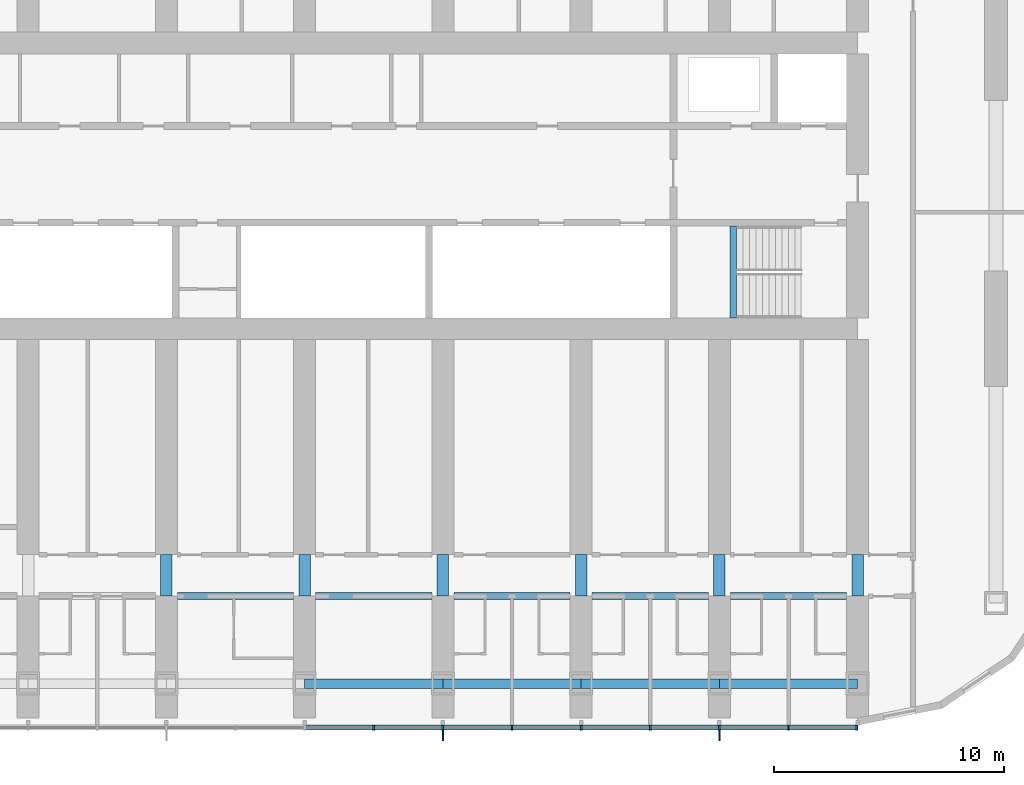
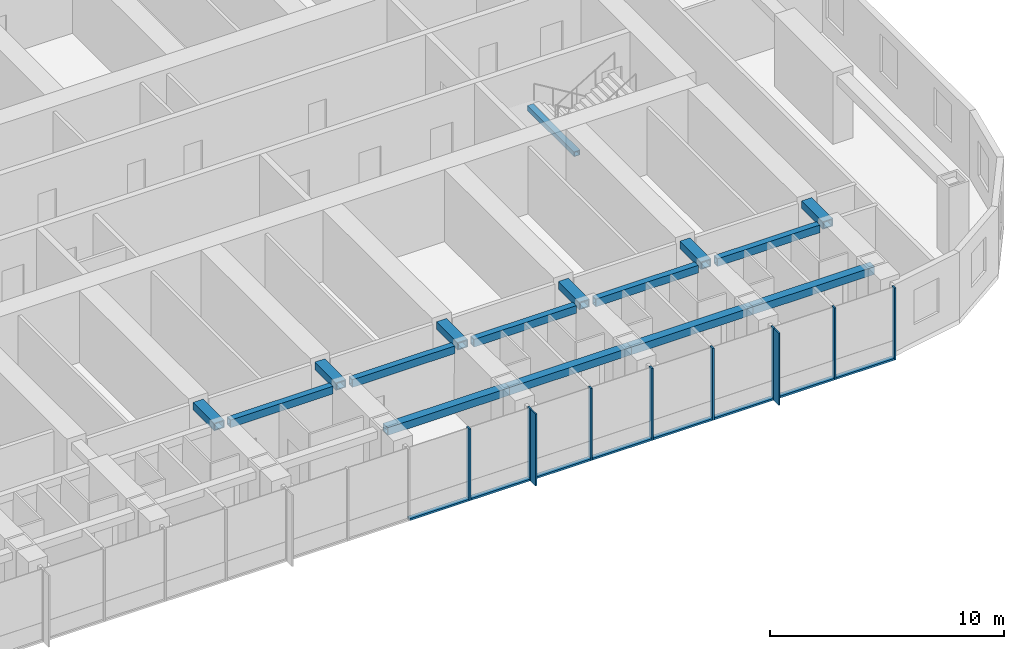
# One storey, part 3 of 21: 18 members, 16 beams, 1 element without a shape of its own.
"""IFC4 building model written with IfcOpenShell, lengths in metres."""

from ifc_helpers import new_model, si_unit, direction, frame, origin, origin_2d, place, context, subcontext, project, spatial, rectangle, hollow_rectangle, extrude, material, material_profile, profile_set, type_object, element, aggregate, save


model = new_model("IFC4")

# Units and contexts
model_context = context("Model", 3, precision=1e-05, world=origin(), true_north=direction((0.0, 1.0)))
body_context = subcontext(model_context, "Body", "Model", "MODEL_VIEW")
ifc_project = project(units=[si_unit("LENGTHUNIT", "METRE"), si_unit("AREAUNIT", "SQUARE_METRE"), si_unit("VOLUMEUNIT", "CUBIC_METRE"), si_unit("PLANEANGLEUNIT", "RADIAN"), si_unit("MASSUNIT", "GRAM", prefix="KILO")], contexts=[model_context])

# Site, building, storey
site_placement = place(None, origin())
site = spatial("IfcSite", under=ifc_project, at=site_placement, CompositionType="ELEMENT")
building_placement = place(site_placement, origin())
building = spatial("IfcBuilding", under=site, at=building_placement, Name="Orbita Commons", CompositionType="ELEMENT")
storey_placement = place(building_placement, frame((0.0, 0.0, 88.14990234375)))
storey = spatial("IfcBuildingStorey", under=building, at=storey_placement, Name="L21", CompositionType="ELEMENT", Elevation=88.14990234375)

# Curtain wall, members
ifc_material_1 = material(Name="Anodised aluminium frame, pale silver", Category="aluminium")
curtain_wall_type = type_object("IfcCurtainWallType", Name="Unitised curtain wall CW-T, vision and spandrel", PredefinedType="NOTDEFINED", material=ifc_material_1)
curtain_wall_placement = place(storey_placement, origin())
curtain_wall = element("IfcCurtainWall", 1, at=curtain_wall_placement, inside=storey, type_object=curtain_wall_type, Name="Curtain wall south L21", PredefinedType="NOTDEFINED")
ifc_material_2 = material(Name="Anodised aluminium, pale silver", Category="aluminium")
ifc_material_profile_1 = material_profile(ifc_material_2, rectangle(XDim=0.080078125, YDim=0.219970703125, at=origin_2d()), Name="AL 80x220")
ifc_profile_set_1 = profile_set([ifc_material_profile_1], Name="Anodised aluminium, pale silver")
member_type_1 = type_object("IfcMemberType", Name="Curtain wall mullion 80x220", PredefinedType="MULLION", material=ifc_profile_set_1)
member_1_placement = place(storey_placement, frame((45.0, 8.489990234375, -0.25), z_axis=(0.0, 0.0, 1.0), x_axis=(1.0, 0.0, 0.0)))
member_1 = element("IfcMember", 2, at=member_1_placement, type_object=member_type_1, Name="Mullion 12 CW-L21-S", PredefinedType="MULLION", context=body_context, shape_type="SweptSolid", body=[
    extrude(rectangle(XDim=0.080078125, YDim=0.219970703125, at=origin_2d()), origin(), (0.0, 0.0, 1.0), 3.75),
])
member_2_placement = place(storey_placement, frame((48.0, 8.489990234375, -0.25), z_axis=(0.0, 0.0, 1.0), x_axis=(1.0, 0.0, 0.0)))
member_2 = element("IfcMember", 3, at=member_2_placement, type_object=member_type_1, Name="Mullion 13 CW-L21-S", PredefinedType="MULLION", context=body_context, shape_type="SweptSolid", body=[
    extrude(rectangle(XDim=0.080078125, YDim=0.219970703125, at=origin_2d()), origin(), (0.0, 0.0, 1.0), 3.75),
])
member_3_placement = place(storey_placement, frame((51.0, 8.489990234375, -0.25), z_axis=(0.0, 0.0, 1.0), x_axis=(1.0, 0.0, 0.0)))
member_3 = element("IfcMember", 4, at=member_3_placement, type_object=member_type_1, Name="Mullion 14 CW-L21-S", PredefinedType="MULLION", context=body_context, shape_type="SweptSolid", body=[
    extrude(rectangle(XDim=0.080078125, YDim=0.219970703125, at=origin_2d()), origin(), (0.0, 0.0, 1.0), 3.75),
])
member_4_placement = place(storey_placement, frame((54.0, 8.489990234375, -0.25), z_axis=(0.0, 0.0, 1.0), x_axis=(1.0, 0.0, 0.0)))
member_4 = element("IfcMember", 5, at=member_4_placement, type_object=member_type_1, Name="Mullion 15 CW-L21-S", PredefinedType="MULLION", context=body_context, shape_type="SweptSolid", body=[
    extrude(rectangle(XDim=0.080078125, YDim=0.219970703125, at=origin_2d()), origin(), (0.0, 0.0, 1.0), 3.75),
])
member_5_placement = place(storey_placement, frame((57.0, 8.489990234375, -0.25), z_axis=(0.0, 0.0, 1.0), x_axis=(1.0, 0.0, 0.0)))
member_5 = element("IfcMember", 6, at=member_5_placement, type_object=member_type_1, Name="Mullion 16 CW-L21-S", PredefinedType="MULLION", context=body_context, shape_type="SweptSolid", body=[
    extrude(rectangle(XDim=0.080078125, YDim=0.219970703125, at=origin_2d()), origin(), (0.0, 0.0, 1.0), 3.75),
])
member_6_placement = place(storey_placement, frame((60.0, 8.489990234375, -0.25), z_axis=(0.0, 0.0, 1.0), x_axis=(1.0, 0.0, 0.0)))
member_6 = element("IfcMember", 7, at=member_6_placement, type_object=member_type_1, Name="Mullion 17 CW-L21-S", PredefinedType="MULLION", context=body_context, shape_type="SweptSolid", body=[
    extrude(rectangle(XDim=0.080078125, YDim=0.219970703125, at=origin_2d()), origin(), (0.0, 0.0, 1.0), 3.75),
])
member_7_placement = place(storey_placement, frame((63.0, 8.489990234375, -0.25), z_axis=(0.0, 0.0, 1.0), x_axis=(1.0, 0.0, 0.0)))
member_7 = element("IfcMember", 8, at=member_7_placement, type_object=member_type_1, Name="Mullion 18 CW-L21-S", PredefinedType="MULLION", context=body_context, shape_type="SweptSolid", body=[
    extrude(rectangle(XDim=0.080078125, YDim=0.219970703125, at=origin_2d()), origin(), (0.0, 0.0, 1.0), 3.75),
])
member_8_placement = place(storey_placement, frame((65.9599609375, 8.489990234375, -0.25), z_axis=(0.0, 0.0, 1.0), x_axis=(1.0, 0.0, 0.0)))
member_8 = element("IfcMember", 9, at=member_8_placement, type_object=member_type_1, Name="Mullion 19 CW-L21-S", PredefinedType="MULLION", context=body_context, shape_type="SweptSolid", body=[
    extrude(rectangle(XDim=0.080078125, YDim=0.219970703125, at=origin_2d()), origin(), (0.0, 0.0, 1.0), 3.75),
])
ifc_material_3 = material(Name="Anodised aluminium, pale silver", Category="aluminium")
ifc_material_profile_2 = material_profile(ifc_material_3, rectangle(XDim=0.219970703125, YDim=0.10009765625, at=origin_2d()), Name="AL 220x100")
ifc_profile_set_2 = profile_set([ifc_material_profile_2], Name="Anodised aluminium, pale silver")
member_type_2 = type_object("IfcMemberType", Name="Curtain wall stack transom 220x100", PredefinedType="USERDEFINED", material=ifc_profile_set_2)
member_9_placement = place(storey_placement, frame((42.0400390625, 8.489990234375, -0.199951171875), z_axis=(1.0, 0.0, 0.0), x_axis=(0.0, 1.0, 0.0)))
member_9 = element("IfcMember", 10, at=member_9_placement, type_object=member_type_2, Name="Transom 11.1 CW-L21-S", ObjectType="TRANSOM", PredefinedType="USERDEFINED", context=body_context, shape_type="SweptSolid", body=[
    extrude(rectangle(XDim=0.219970703125, YDim=0.10009765625, at=origin_2d()), origin(), (0.0, 0.0, 1.0), 2.919921875),
])
member_10_placement = place(storey_placement, frame((45.0400390625, 8.489990234375, -0.199951171875), z_axis=(1.0, 0.0, 0.0), x_axis=(0.0, 1.0, 0.0)))
member_10 = element("IfcMember", 11, at=member_10_placement, type_object=member_type_2, Name="Transom 12.1 CW-L21-S", ObjectType="TRANSOM", PredefinedType="USERDEFINED", context=body_context, shape_type="SweptSolid", body=[
    extrude(rectangle(XDim=0.219970703125, YDim=0.10009765625, at=origin_2d()), origin(), (0.0, 0.0, 1.0), 2.919921875),
])
member_11_placement = place(storey_placement, frame((48.0400390625, 8.489990234375, -0.199951171875), z_axis=(1.0, 0.0, 0.0), x_axis=(0.0, 1.0, 0.0)))
member_11 = element("IfcMember", 12, at=member_11_placement, type_object=member_type_2, Name="Transom 13.1 CW-L21-S", ObjectType="TRANSOM", PredefinedType="USERDEFINED", context=body_context, shape_type="SweptSolid", body=[
    extrude(rectangle(XDim=0.219970703125, YDim=0.10009765625, at=origin_2d()), origin(), (0.0, 0.0, 1.0), 2.919921875),
])
member_12_placement = place(storey_placement, frame((51.0400390625, 8.489990234375, -0.199951171875), z_axis=(1.0, 0.0, 0.0), x_axis=(0.0, 1.0, 0.0)))
member_12 = element("IfcMember", 13, at=member_12_placement, type_object=member_type_2, Name="Transom 14.1 CW-L21-S", ObjectType="TRANSOM", PredefinedType="USERDEFINED", context=body_context, shape_type="SweptSolid", body=[
    extrude(rectangle(XDim=0.219970703125, YDim=0.10009765625, at=origin_2d()), origin(), (0.0, 0.0, 1.0), 2.919921875),
])
member_13_placement = place(storey_placement, frame((54.0400390625, 8.489990234375, -0.199951171875), z_axis=(1.0, 0.0, 0.0), x_axis=(0.0, 1.0, 0.0)))
member_13 = element("IfcMember", 14, at=member_13_placement, type_object=member_type_2, Name="Transom 15.1 CW-L21-S", ObjectType="TRANSOM", PredefinedType="USERDEFINED", context=body_context, shape_type="SweptSolid", body=[
    extrude(rectangle(XDim=0.219970703125, YDim=0.10009765625, at=origin_2d()), origin(), (0.0, 0.0, 1.0), 2.919921875),
])
member_14_placement = place(storey_placement, frame((57.0400390625, 8.489990234375, -0.199951171875), z_axis=(1.0, 0.0, 0.0), x_axis=(0.0, 1.0, 0.0)))
member_14 = element("IfcMember", 15, at=member_14_placement, type_object=member_type_2, Name="Transom 16.1 CW-L21-S", ObjectType="TRANSOM", PredefinedType="USERDEFINED", context=body_context, shape_type="SweptSolid", body=[
    extrude(rectangle(XDim=0.219970703125, YDim=0.10009765625, at=origin_2d()), origin(), (0.0, 0.0, 1.0), 2.919921875),
])
member_15_placement = place(storey_placement, frame((60.0400390625, 8.489990234375, -0.199951171875), z_axis=(1.0, 0.0, 0.0), x_axis=(0.0, 1.0, 0.0)))
member_15 = element("IfcMember", 16, at=member_15_placement, type_object=member_type_2, Name="Transom 17.1 CW-L21-S", ObjectType="TRANSOM", PredefinedType="USERDEFINED", context=body_context, shape_type="SweptSolid", body=[
    extrude(rectangle(XDim=0.219970703125, YDim=0.10009765625, at=origin_2d()), origin(), (0.0, 0.0, 1.0), 2.919921875),
])
member_16_placement = place(storey_placement, frame((63.0400390625, 8.489990234375, -0.199951171875), z_axis=(1.0, 0.0, 0.0), x_axis=(0.0, 1.0, 0.0)))
member_16 = element("IfcMember", 17, at=member_16_placement, type_object=member_type_2, Name="Transom 18.1 CW-L21-S", ObjectType="TRANSOM", PredefinedType="USERDEFINED", context=body_context, shape_type="SweptSolid", body=[
    extrude(rectangle(XDim=0.219970703125, YDim=0.10009765625, at=origin_2d()), origin(), (0.0, 0.0, 1.0), 2.8798828125),
])

# Beams
ifc_material_4 = material(Name="Steel ASTM A572 Gr 50 welded plate", Category="steel")
ifc_material_profile_3 = material_profile(ifc_material_4, hollow_rectangle(XDim=0.300048828125, YDim=0.25, WallThickness=0.02490234375, at=origin_2d()), Name="BOX 250x300x25")
ifc_profile_set_3 = profile_set([ifc_material_profile_3], Name="Steel ASTM A572 Gr 50 welded plate")
beam_type_1 = type_object("IfcBeamType", Name="Stair landing beam steel BOX 250x300x25", PredefinedType="BEAM", material=ifc_profile_set_3)
beam_placement = place(storey_placement, frame((60.60009765625, 26.260009765625, 1.550048828125), z_axis=(0.0, 1.0, 0.0), x_axis=(-1.0, 0.0, 0.0)))
element("IfcBeam", 18, at=beam_placement, inside=storey, type_object=beam_type_1, Name="Stair S2 landing beam L21 1", PredefinedType="BEAM", context=body_context, shape_type="SweptSolid", body=[
    extrude(hollow_rectangle(XDim=0.300048828125, YDim=0.25, WallThickness=0.02490234375, at=origin_2d()), origin(), (0.0, 0.0, 1.0), 4.0048828125),
])
ifc_material_5 = material(Name="Steel ASTM A572 Gr 50 welded plate", Category="steel")
ifc_material_profile_4 = material_profile(ifc_material_5, hollow_rectangle(XDim=0.300048828125, YDim=0.39990234375, WallThickness=0.0400390625, at=origin_2d()), Name="BOX 400x300x40")
ifc_profile_set_4 = profile_set([ifc_material_profile_4], Name="Steel ASTM A572 Gr 50 welded plate")
beam_type_2 = type_object("IfcBeamType", Name="Steel corridor link BOX 400x300x40", PredefinedType="BEAM", material=ifc_profile_set_4)
for number, where, z_axis, x_axis, name in (
    (19, (36.47509765625, 14.199951171875, 3.300048828125), (1.0, 0.0, 0.0), (0.0, 1.0, 0.0), "Corridor beam SA 7-8 L21"),
    (20, (42.47509765625, 14.199951171875, 3.300048828125), (1.0, 0.0, 0.0), (0.0, 1.0, 0.0), "Corridor beam SA 8-9 L21"),
    (21, (48.47509765625, 14.199951171875, 3.300048828125), (1.0, 0.0, 0.0), (0.0, 1.0, 0.0), "Corridor beam SA 9-10 L21"),
    (22, (54.47509765625, 14.199951171875, 3.300048828125), (1.0, 0.0, 0.0), (0.0, 1.0, 0.0), "Corridor beam SA 10-11 L21"),
    (23, (60.47509765625, 14.199951171875, 3.300048828125), (1.0, 0.0, 0.0), (0.0, 1.0, 0.0), "Corridor beam SA 11-12 L21"),
):
    element("IfcBeam", number, at=place(storey_placement, frame(where, z_axis=z_axis, x_axis=x_axis)), inside=storey, type_object=beam_type_2, Name=name, PredefinedType="BEAM", context=body_context, shape_type="SweptSolid", body=[
        extrude(hollow_rectangle(XDim=0.300048828125, YDim=0.39990234375, WallThickness=0.0400390625, at=origin_2d()), origin(), (0.0, 0.0, 1.0), 5.0498046875),
    ])
ifc_material_6 = material(Name="Steel ASTM A572 Gr 50 welded plate", Category="steel")
ifc_material_profile_5 = material_profile(ifc_material_6, hollow_rectangle(XDim=0.5, YDim=0.39990234375, WallThickness=0.050048828125, at=origin_2d()), Name="BOX 400x500x50")
ifc_profile_set_5 = profile_set([ifc_material_profile_5], Name="Steel ASTM A572 Gr 50 welded plate")
beam_type_3 = type_object("IfcBeamType", Name="Steel coupling link BOX 400x500x50", PredefinedType="LINTEL", material=ifc_profile_set_5)
for number, where, z_axis, x_axis, name in (
    (24, (36.0, 14.199951171875, 3.300048828125), (0.0, 1.0, 0.0), (-1.0, 0.0, 0.0), "Coupling beam 7 south L21"),
    (25, (42.0, 14.199951171875, 3.300048828125), (0.0, 1.0, 0.0), (-1.0, 0.0, 0.0), "Coupling beam 8 south L21"),
    (26, (48.0, 14.199951171875, 3.300048828125), (0.0, 1.0, 0.0), (-1.0, 0.0, 0.0), "Coupling beam 9 south L21"),
    (27, (54.0, 14.199951171875, 3.300048828125), (0.0, 1.0, 0.0), (-1.0, 0.0, 0.0), "Coupling beam 10 south L21"),
    (28, (60.0, 14.199951171875, 3.300048828125), (0.0, 1.0, 0.0), (-1.0, 0.0, 0.0), "Coupling beam 11 south L21"),
    (29, (66.0, 14.199951171875, 3.300048828125), (0.0, 1.0, 0.0), (-1.0, 0.0, 0.0), "Coupling beam 12 south L21"),
):
    element("IfcBeam", number, at=place(storey_placement, frame(where, z_axis=z_axis, x_axis=x_axis)), inside=storey, type_object=beam_type_3, Name=name, PredefinedType="LINTEL", context=body_context, shape_type="SweptSolid", body=[
        extrude(hollow_rectangle(XDim=0.5, YDim=0.39990234375, WallThickness=0.050048828125, at=origin_2d()), origin(), (0.0, 0.0, 1.0), 1.800048828125),
    ])
ifc_material_7 = material(Name="Steel ASTM A572 Gr 50 welded plate", Category="steel")
ifc_material_profile_6 = material_profile(ifc_material_7, hollow_rectangle(XDim=0.39990234375, YDim=0.39990234375, WallThickness=0.0400390625, at=origin_2d()), Name="BOX 400x400x40")
ifc_profile_set_6 = profile_set([ifc_material_profile_6], Name="Steel ASTM A572 Gr 50 welded plate")
beam_type_4 = type_object("IfcBeamType", Name="Steel spandrel BOX 400x400x40", PredefinedType="SPANDREL", material=ifc_profile_set_6)
for number, where, z_axis, x_axis, name in (
    (30, (42.0, 10.39990234375, 3.300048828125), (1.0, 0.0, 0.0), (0.0, 1.0, 0.0), "Spandrel beam B 8-9 L21"),
    (31, (48.0, 10.39990234375, 3.300048828125), (1.0, 0.0, 0.0), (0.0, 1.0, 0.0), "Spandrel beam B 9-10 L21"),
    (32, (54.0, 10.39990234375, 3.300048828125), (1.0, 0.0, 0.0), (0.0, 1.0, 0.0), "Spandrel beam B 10-11 L21"),
    (33, (60.0, 10.39990234375, 3.300048828125), (1.0, 0.0, 0.0), (0.0, 1.0, 0.0), "Spandrel beam B 11-12 L21"),
):
    element("IfcBeam", number, at=place(storey_placement, frame(where, z_axis=z_axis, x_axis=x_axis)), inside=storey, type_object=beam_type_4, Name=name, PredefinedType="SPANDREL", context=body_context, shape_type="SweptSolid", body=[
        extrude(hollow_rectangle(XDim=0.39990234375, YDim=0.39990234375, WallThickness=0.0400390625, at=origin_2d()), origin(), (0.0, 0.0, 1.0), 6.0),
    ])

# Member
ifc_material_8 = material(Name="Anodised aluminium, pale silver", Category="aluminium")
ifc_material_profile_7 = material_profile(ifc_material_8, rectangle(XDim=0.06005859375, YDim=0.449951171875, at=origin_2d()), Name="FIN 60x450")
ifc_profile_set_7 = profile_set([ifc_material_profile_7], Name="Anodised aluminium, pale silver")
member_type_3 = type_object("IfcMemberType", Name="Vertical fin 60x450 pale aluminium", PredefinedType="USERDEFINED", material=ifc_profile_set_7)
member_17_placement = place(storey_placement, frame((48.0, 8.155029296875, -0.25), z_axis=(0.0, 0.0, 1.0), x_axis=(1.0, 0.0, 0.0)))
member_17 = element("IfcMember", 34, at=member_17_placement, type_object=member_type_3, Name="Fin 13 CW-L21-S", ObjectType="FIN", PredefinedType="USERDEFINED", context=body_context, shape_type="SweptSolid", body=[
    extrude(rectangle(XDim=0.06005859375, YDim=0.449951171875, at=origin_2d()), origin(), (0.0, 0.0, 1.0), 3.75),
])

member_18_placement = place(storey_placement, frame((60.0, 8.155029296875, -0.25), z_axis=(0.0, 0.0, 1.0), x_axis=(1.0, 0.0, 0.0)))
member_18 = element("IfcMember", 35, at=member_18_placement, type_object=member_type_3, Name="Fin 17 CW-L21-S", ObjectType="FIN", PredefinedType="USERDEFINED", context=body_context, shape_type="SweptSolid", body=[
    extrude(rectangle(XDim=0.06005859375, YDim=0.449951171875, at=origin_2d()), origin(), (0.0, 0.0, 1.0), 3.75),
])

aggregate(curtain_wall, [member_1, member_2, member_17, member_3, member_4, member_5, member_6, member_18, member_7, member_8, member_9, member_10, member_11, member_12, member_13, member_14, member_15, member_16])

save(model, "model.ifc")
